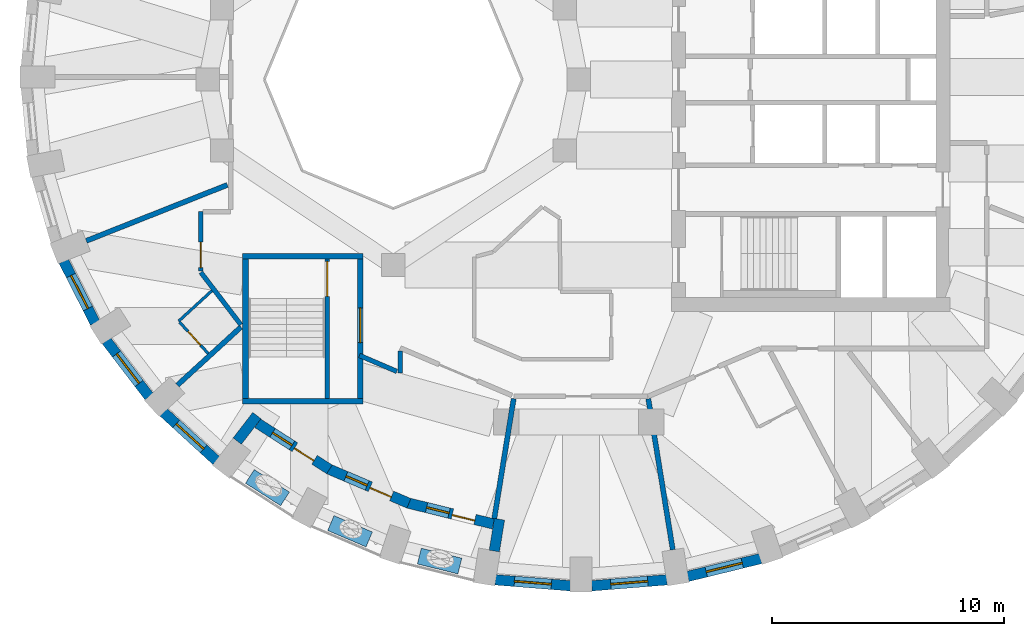
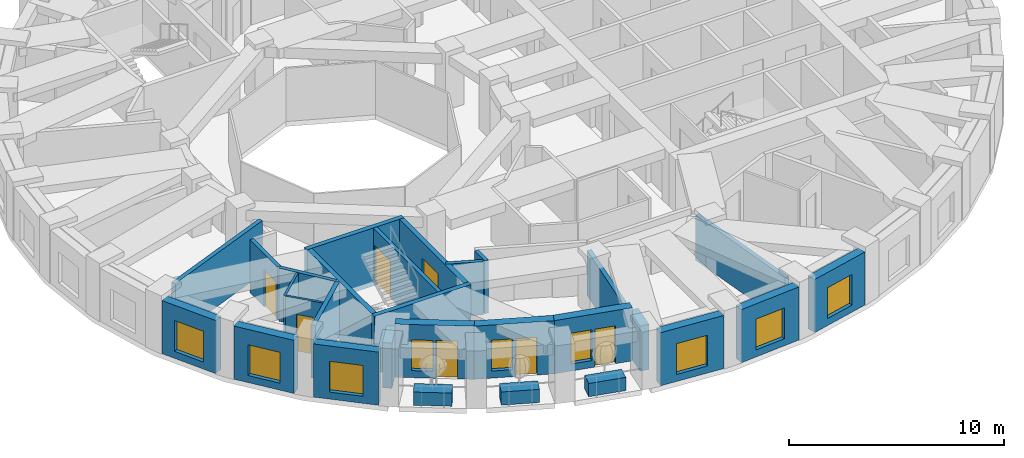
# One storey, part 3 of 12: 29 walls, 9 windows, 7 doors, 16 openings.
"""IFC4 building model written with IfcOpenShell, lengths in metres."""

import ifcopenshell
import ifcopenshell.guid

model = None  # the IFC model being written
_history = None  # IfcOwnerHistory: only IFC2X3 demands one
_inside = {}  # id of a spatial element -> (the spatial element, [elements in it])
_under = {}  # id of a project, library or spatial element -> (it, [spatial elements below it])
_declared = {}  # id of a project -> (the project, [libraries it declares])
_typed = {}  # id of a type object -> (the type object, [elements of that type])
_made_of = {}  # id of a material, layer set ... -> (it, [elements and type objects made of it])


def new_model(schema):
    """Start an empty IFC model of exactly this schema.

    Asked for "IFC4X3", IfcOpenShell would pick the latest addendum, in which some entities
    have other attributes; the version numbers below select the first issue.
    IFC2X3 requires an IfcOwnerHistory on every rooted entity: one is made here for all.
    """
    global model, _history
    if schema == "IFC4X3":
        model = ifcopenshell.file(schema_version=(4, 3, 0, 0))
    else:
        model = ifcopenshell.file(schema=schema)
    _inside.clear()
    _under.clear()
    _declared.clear()
    _typed.clear()
    _made_of.clear()
    _history = None
    if model.schema == "IFC2X3":
        org = make("IfcOrganization", Name="unknown")
        user = make(
            "IfcPersonAndOrganization",
            ThePerson=make("IfcPerson", FamilyName="unknown"),
            TheOrganization=org,
        )
        app = make(
            "IfcApplication",
            ApplicationDeveloper=org,
            Version="unknown",
            ApplicationFullName="unknown",
            ApplicationIdentifier="unknown",
        )
        _history = make(
            "IfcOwnerHistory",
            OwningUser=user,
            OwningApplication=app,
            ChangeAction="ADDED",
            CreationDate=0,
        )
    return model


def make(cls, **values):
    """One entity of the class cls with the attributes given. An attribute that is None is left unset."""
    return model.create_entity(
        cls, **{name: value for name, value in values.items() if value is not None}
    )


def rooted(cls, **values):
    """An entity with a GlobalId (a new one), such as an element, a storey or a relation."""
    return make(cls, GlobalId=ifcopenshell.guid.new(), OwnerHistory=_history, **values)


def si_unit(unit_type, name, prefix=None):
    """IfcSIUnit, for example si_unit("LENGTHUNIT", "METRE", prefix="MILLI")."""
    return make("IfcSIUnit", UnitType=unit_type, Prefix=prefix, Name=name)


def assignment(units):
    """IfcUnitAssignment: the units of a project."""
    return None if units is None else make("IfcUnitAssignment", Units=units)


def point(xyz):
    """IfcCartesianPoint."""
    return None if xyz is None else make("IfcCartesianPoint", Coordinates=xyz)


def direction(xyz):
    """IfcDirection."""
    return None if xyz is None else make("IfcDirection", DirectionRatios=xyz)


def frame(location, z_axis=None, x_axis=None):
    """IfcAxis2Placement3D, a coordinate frame: its origin and axes. An axis left out is left unset."""
    return make(
        "IfcAxis2Placement3D",
        Location=point(location),
        Axis=direction(z_axis),
        RefDirection=direction(x_axis),
    )


def frame_2d(location, x_axis=None):
    """IfcAxis2Placement2D, a coordinate frame in the plane: its origin and x axis."""
    return make(
        "IfcAxis2Placement2D", Location=point(location), RefDirection=direction(x_axis)
    )


def origin():
    """The frame at (0, 0, 0) with its axes left unset."""
    return frame((0.0, 0.0, 0.0))


def place(relative_to, where):
    """IfcLocalPlacement: puts the frame where relative to a parent placement (None: the world)."""
    return make(
        "IfcLocalPlacement", PlacementRelTo=relative_to, RelativePlacement=where
    )


def context(
    kind, dimensions, precision=None, world=None, true_north=None, identifier=None
):
    """IfcGeometricRepresentationContext, for example the 3D "Model" context."""
    return make(
        "IfcGeometricRepresentationContext",
        ContextIdentifier=identifier,
        ContextType=kind,
        CoordinateSpaceDimension=dimensions,
        Precision=precision,
        WorldCoordinateSystem=world,
        TrueNorth=true_north,
    )


def subcontext(parent, identifier, kind, view, scale=None):
    """IfcGeometricRepresentationSubContext, for example "Body" below "Model"."""
    return make(
        "IfcGeometricRepresentationSubContext",
        ContextIdentifier=identifier,
        ContextType=kind,
        ParentContext=parent,
        TargetScale=scale,
        TargetView=view,
    )


def project(units=None, contexts=None):
    """IfcProject with its units and contexts."""
    return rooted(
        "IfcProject",
        Name="project",
        RepresentationContexts=contexts,
        UnitsInContext=assignment(units),
    )


def spatial(cls, under=None, at=None, **own):
    """A site, building, storey or space (cls), placed at a placement, below another one or the project."""
    s = rooted(cls, ObjectPlacement=at, **own)
    if under is not None:
        _under.setdefault(under.id(), (under, []))[1].append(s)
    return s


def profile(cls, at=None, kind="AREA", **sizes):
    """A parametric profile (cls). Its sizes go by their IFC names, for example OverallWidth=200.0."""
    return make(cls, ProfileType=kind, Position=at, **sizes)


def rectangle(**sizes):
    """IfcRectangleProfileDef."""
    return profile("IfcRectangleProfileDef", **sizes)


def extrude(swept, where, along, depth):
    """IfcExtrudedAreaSolid: the profile swept, set in the frame where, extruded along a direction by depth."""
    return make(
        "IfcExtrudedAreaSolid",
        SweptArea=swept,
        Position=where,
        ExtrudedDirection=direction(along),
        Depth=depth,
    )


def shape(context_of_items, identifier, shape_type, items):
    """IfcShapeRepresentation: the items that make up one representation, for example the "Body"."""
    return make(
        "IfcShapeRepresentation",
        ContextOfItems=context_of_items,
        RepresentationIdentifier=identifier,
        RepresentationType=shape_type,
        Items=items,
    )


def material(Name=None, Category=None):
    """IfcMaterial."""
    return make("IfcMaterial", Name=Name, Category=Category)


def layer(
    of_material, thickness, ventilated=None, Name=None, Category=None, Priority=None
):
    """IfcMaterialLayer: one layer of a wall or slab, of a material (None: an air gap)."""
    return make(
        "IfcMaterialLayer",
        Material=of_material,
        LayerThickness=thickness,
        IsVentilated=ventilated,
        Name=Name,
        Category=Category,
        Priority=Priority,
    )


def layer_set(layers, Name=None):
    """IfcMaterialLayerSet."""
    return make("IfcMaterialLayerSet", MaterialLayers=layers, LayerSetName=Name)


def constituent(of_material, Name=None, Category=None, fraction=None):
    """IfcMaterialConstituent: one of the materials an element consists of."""
    return make(
        "IfcMaterialConstituent",
        Name=Name,
        Material=of_material,
        Fraction=fraction,
        Category=Category,
    )


def constituent_set(constituents=None, Name=None):
    """IfcMaterialConstituentSet."""
    return make(
        "IfcMaterialConstituentSet", Name=Name, MaterialConstituents=constituents
    )


def made_of(thing, what):
    """Note that an element or type object is made of a material, layer set ...; save() writes the relation."""
    if what is not None:
        _made_of.setdefault(what.id(), (what, []))[1].append(thing)
    return thing


def type_object(cls, material=None, **own):
    """A type object (cls), such as IfcWallType, which elements share."""
    return made_of(rooted(cls, **own), material)


def element(
    cls,
    number,
    at=None,
    inside=None,
    cuts=None,
    type_object=None,
    material=None,
    context=None,
    identifier="Body",
    shape_type=None,
    held_by="IfcProductDefinitionShape",
    body=None,
    shapes=None,
    **own,
):
    """One element of the class cls, such as IfcWall. Its Tag is "e" and its number.

    at: its placement. inside: the storey or other place that contains it. cuts: it is an
    opening in that element (IfcRelVoidsElement). A single representation is given by context,
    identifier, shape_type and body (its items); several are given by shapes. held_by: the class
    of the entity that holds the representations. save() writes the other relations.
    """
    e = rooted(cls, Tag="e%d" % number, ObjectPlacement=at, **own)
    if body is not None:
        shapes = [shape(context, identifier, shape_type, body)]
    if shapes is not None:
        e.Representation = make(held_by, Representations=shapes)
    if inside is not None:
        _inside.setdefault(inside.id(), (inside, []))[1].append(e)
    if cuts is not None:
        rooted(
            "IfcRelVoidsElement", RelatingBuildingElement=cuts, RelatedOpeningElement=e
        )
    if type_object is not None:
        _typed.setdefault(type_object.id(), (type_object, []))[1].append(e)
    return made_of(e, material)


def fill(opening, filler):
    """IfcRelFillsElement: the door or window that sits in an opening."""
    return rooted(
        "IfcRelFillsElement",
        RelatingOpeningElement=opening,
        RelatedBuildingElement=filler,
    )


def aggregate(whole, parts):
    """IfcRelAggregates: a whole, such as a stair, and the parts it consists of."""
    return rooted("IfcRelAggregates", RelatingObject=whole, RelatedObjects=parts)


def save(model, path):
    """Write the relations noted so far, then the file.

    IfcRelAggregates (storeys below a building ...), IfcRelContainedInSpatialStructure (elements
    in a storey), IfcRelDefinesByType, IfcRelAssociatesMaterial and IfcRelDeclares: one each for
    every whole, place, type object, material and project.
    """
    for whole, parts in _under.values():
        aggregate(whole, parts)
    for where, things in _inside.values():
        rooted(
            "IfcRelContainedInSpatialStructure",
            RelatedElements=things,
            RelatingStructure=where,
        )
    for kind, things in _typed.values():
        rooted("IfcRelDefinesByType", RelatedObjects=things, RelatingType=kind)
    for what, things in _made_of.values():
        rooted("IfcRelAssociatesMaterial", RelatedObjects=things, RelatingMaterial=what)
    for by, libraries in _declared.values():
        rooted("IfcRelDeclares", RelatingContext=by, RelatedDefinitions=libraries)
    model.write(path)


model = new_model("IFC4")

# Units and contexts
model_context = context("Model", 3, precision=1e-05, world=origin(), true_north=direction((0.0, 1.0)))
body_context = subcontext(model_context, "Body", "Model", "MODEL_VIEW")
ifc_project = project(units=[si_unit("LENGTHUNIT", "METRE"), si_unit("AREAUNIT", "SQUARE_METRE"), si_unit("VOLUMEUNIT", "CUBIC_METRE"), si_unit("PLANEANGLEUNIT", "RADIAN"), si_unit("MASSUNIT", "GRAM", prefix="KILO")], contexts=[model_context])

# Site, building, storey
site_placement = place(None, origin())
site = spatial("IfcSite", under=ifc_project, at=site_placement, CompositionType="ELEMENT")
building_placement = place(site_placement, origin())
building = spatial("IfcBuilding", under=site, at=building_placement, Name="Taillehof Tower", CompositionType="ELEMENT")
storey_placement = place(building_placement, frame((0.0, 0.0, 168.199951171875)))
storey = spatial("IfcBuildingStorey", under=building, at=storey_placement, Name="L47", CompositionType="ELEMENT", Elevation=168.199951171875)

# Wall, opening, window
ifc_material_1 = material(Name="Brick masonry", Category="masonry")
ifc_layer_1 = layer(ifc_material_1, 0.449951171875)
ifc_layer_set_1 = layer_set([ifc_layer_1], Name="Brick infill wall 450")
wall_type_1 = type_object("IfcWallType", Name="Brick infill wall 450", PredefinedType="SOLIDWALL", material=ifc_layer_set_1)
wall_1_placement = place(storey_placement, frame((-22.21533203125, -7.8369140625, 0.0), z_axis=(0.0, 0.0, 1.0), x_axis=(0.454133999889, -0.890933392653, 0.0)))
wall_1 = element("IfcWall", 1, at=wall_1_placement, inside=storey, type_object=wall_type_1, Name="Brick wall L47 bay 21", PredefinedType="SOLIDWALL", context=body_context, shape_type="SweptSolid", body=[
    extrude(rectangle(XDim=2.98583984375, YDim=0.449951171875, at=frame_2d((1.492919921875, 0.0))), origin(), (0.0, 0.0, 1.0), 3.02001953125),
])
opening_1_placement = place(wall_1_placement, frame((0.69287109375, 0.0, 0.39990234375)))
opening_1 = element("IfcOpeningElement", 2, at=opening_1_placement, cuts=wall_1, Name="Opening W3", PredefinedType="OPENING", context=body_context, shape_type="SweptSolid", body=[
    extrude(rectangle(XDim=1.60009765625, YDim=1.75, at=frame_2d((0.800048828125, 0.875))), frame((0.0, 0.23486328125, 0.0), z_axis=(0.0, -1.0, 0.0), x_axis=(1.0, 0.0, 0.0)), (0.0, 0.0, 1.0), 0.469970703125),
])
ifc_material_2 = material(Name="Aluminium window frame with clear double glazing", Category="aluminium")
window_type_1 = type_object("IfcWindowType", Name="Deep-set window 1600x1750", PartitioningType="SINGLE_PANEL", PredefinedType="WINDOW", material=ifc_material_2)
window_1_placement = place(opening_1_placement, origin())
window_1 = element("IfcWindow", 3, at=window_1_placement, inside=storey, type_object=window_type_1, Name="W3", OverallHeight=1.75, OverallWidth=1.60009765625, PartitioningType="SINGLE_PANEL", PredefinedType="WINDOW", context=body_context, shape_type="SweptSolid", body=[
    extrude(rectangle(XDim=1.60009765625, YDim=1.75, at=frame_2d((0.800048828125, 0.875))), frame((0.0, 0.034912109375, 0.0), z_axis=(0.0, -1.0, 0.0), x_axis=(1.0, 0.0, 0.0)), (0.0, 0.0, 1.0), 0.06005859375),
])
fill(opening_1, window_1)

wall_2_placement = place(storey_placement, frame((-20.3740234375, -11.26708984375, 0.0), z_axis=(0.0, 0.0, 1.0), x_axis=(0.607817056371, -0.794077090706, 0.0)))
wall_2 = element("IfcWall", 4, at=wall_2_placement, inside=storey, type_object=wall_type_1, Name="Brick wall L47 bay 22", PredefinedType="SOLIDWALL", context=body_context, shape_type="SweptSolid", body=[
    extrude(rectangle(XDim=3.037109375, YDim=0.449951171875, at=frame_2d((1.5185546875, 0.0))), origin(), (0.0, 0.0, 1.0), 3.02001953125),
])
opening_2_placement = place(wall_2_placement, frame((0.718505859375, 0.0, 0.39990234375)))
opening_2 = element("IfcOpeningElement", 5, at=opening_2_placement, cuts=wall_2, Name="Opening W3", PredefinedType="OPENING", context=body_context, shape_type="SweptSolid", body=[
    extrude(rectangle(XDim=1.60009765625, YDim=1.75, at=frame_2d((0.800048828125, 0.875))), frame((0.0, 0.23486328125, 0.0), z_axis=(0.0, -1.0, 0.0), x_axis=(1.0, 0.0, 0.0)), (0.0, 0.0, 1.0), 0.469970703125),
])
window_2_placement = place(opening_2_placement, origin())
window_2 = element("IfcWindow", 6, at=window_2_placement, inside=storey, type_object=window_type_1, Name="W3", OverallHeight=1.75, OverallWidth=1.60009765625, PartitioningType="SINGLE_PANEL", PredefinedType="WINDOW", context=body_context, shape_type="SweptSolid", body=[
    extrude(rectangle(XDim=1.60009765625, YDim=1.75, at=frame_2d((0.800048828125, 0.875))), frame((0.0, 0.034912109375, 0.0), z_axis=(0.0, -1.0, 0.0), x_axis=(1.0, 0.0, 0.0)), (0.0, 0.0, 1.0), 0.06005859375),
])
fill(opening_2, window_2)

wall_3_placement = place(storey_placement, frame((-17.913330078125, -14.349853515625, 0.0), z_axis=(0.0, 0.0, 1.0), x_axis=(0.737808755941, -0.675009807082, 0.0)))
wall_3 = element("IfcWall", 7, at=wall_3_placement, inside=storey, type_object=wall_type_1, Name="Brick wall L47 bay 23", PredefinedType="SOLIDWALL", context=body_context, shape_type="SweptSolid", body=[
    extrude(rectangle(XDim=3.094482421875, YDim=0.449951171875, at=frame_2d((1.54736328125, 0.0))), origin(), (0.0, 0.0, 1.0), 3.02001953125),
])
opening_3_placement = place(wall_3_placement, frame((0.747314453125, 0.0, 0.39990234375)))
opening_3 = element("IfcOpeningElement", 8, at=opening_3_placement, cuts=wall_3, Name="Opening W3", PredefinedType="OPENING", context=body_context, shape_type="SweptSolid", body=[
    extrude(rectangle(XDim=1.60009765625, YDim=1.75, at=frame_2d((0.800048828125, 0.875))), frame((0.0, 0.23486328125, 0.0), z_axis=(0.0, -1.0, 0.0), x_axis=(1.0, 0.0, 0.0)), (0.0, 0.0, 1.0), 0.469970703125),
])
window_3_placement = place(opening_3_placement, origin())
window_3 = element("IfcWindow", 9, at=window_3_placement, inside=storey, type_object=window_type_1, Name="W3", OverallHeight=1.75, OverallWidth=1.60009765625, PartitioningType="SINGLE_PANEL", PredefinedType="WINDOW", context=body_context, shape_type="SweptSolid", body=[
    extrude(rectangle(XDim=1.60009765625, YDim=1.75, at=frame_2d((0.800048828125, 0.875))), frame((0.0, 0.034912109375, 0.0), z_axis=(0.0, -1.0, 0.0), x_axis=(1.0, 0.0, 0.0)), (0.0, 0.0, 1.0), 0.06005859375),
])
fill(opening_3, window_3)

wall_4_placement = place(storey_placement, frame((-3.6005859375, -21.578125, 0.0), z_axis=(0.0, 0.0, 1.0), x_axis=(0.996812416891, -0.079780984773, 0.0)))
wall_4 = element("IfcWall", 10, at=wall_4_placement, inside=storey, type_object=wall_type_1, Name="Brick wall L47 bay 27", PredefinedType="SOLIDWALL", context=body_context, shape_type="SweptSolid", body=[
    extrude(rectangle(XDim=3.256103515625, YDim=0.449951171875, at=frame_2d((1.6279296875, 0.0))), origin(), (0.0, 0.0, 1.0), 3.02001953125),
])
opening_4_placement = place(wall_4_placement, frame((0.827880859375, 0.0, 0.39990234375)))
opening_4 = element("IfcOpeningElement", 11, at=opening_4_placement, cuts=wall_4, Name="Opening W3", PredefinedType="OPENING", context=body_context, shape_type="SweptSolid", body=[
    extrude(rectangle(XDim=1.60009765625, YDim=1.75, at=frame_2d((0.800048828125, 0.875))), frame((0.0, 0.23486328125, 0.0), z_axis=(0.0, -1.0, 0.0), x_axis=(1.0, 0.0, 0.0)), (0.0, 0.0, 1.0), 0.469970703125),
])
window_4_placement = place(opening_4_placement, origin())
window_4 = element("IfcWindow", 12, at=window_4_placement, inside=storey, type_object=window_type_1, Name="W3", OverallHeight=1.75, OverallWidth=1.60009765625, PartitioningType="SINGLE_PANEL", PredefinedType="WINDOW", context=body_context, shape_type="SweptSolid", body=[
    extrude(rectangle(XDim=1.60009765625, YDim=1.75, at=frame_2d((0.800048828125, 0.875))), frame((0.0, 0.034912109375, 0.0), z_axis=(0.0, -1.0, 0.0), x_axis=(1.0, 0.0, 0.0)), (0.0, 0.0, 1.0), 0.06005859375),
])
fill(opening_4, window_4)

wall_5_placement = place(storey_placement, frame((0.55517578125, -21.837890625, 0.0), z_axis=(0.0, 0.0, 1.0), x_axis=(0.996812416891, 0.079780984773, 0.0)))
wall_5 = element("IfcWall", 13, at=wall_5_placement, inside=storey, type_object=wall_type_1, Name="Brick wall L47 bay 28", PredefinedType="SOLIDWALL", context=body_context, shape_type="SweptSolid", body=[
    extrude(rectangle(XDim=3.256103515625, YDim=0.449951171875, at=frame_2d((1.6279296875, 0.0))), origin(), (0.0, 0.0, 1.0), 3.02001953125),
])
opening_5_placement = place(wall_5_placement, frame((0.827880859375, 0.0, 0.39990234375)))
opening_5 = element("IfcOpeningElement", 14, at=opening_5_placement, cuts=wall_5, Name="Opening W3", PredefinedType="OPENING", context=body_context, shape_type="SweptSolid", body=[
    extrude(rectangle(XDim=1.60009765625, YDim=1.75, at=frame_2d((0.800048828125, 0.875))), frame((0.0, 0.23486328125, 0.0), z_axis=(0.0, -1.0, 0.0), x_axis=(1.0, 0.0, 0.0)), (0.0, 0.0, 1.0), 0.469970703125),
])
window_5_placement = place(opening_5_placement, origin())
window_5 = element("IfcWindow", 15, at=window_5_placement, inside=storey, type_object=window_type_1, Name="W3", OverallHeight=1.75, OverallWidth=1.60009765625, PartitioningType="SINGLE_PANEL", PredefinedType="WINDOW", context=body_context, shape_type="SweptSolid", body=[
    extrude(rectangle(XDim=1.60009765625, YDim=1.75, at=frame_2d((0.800048828125, 0.875))), frame((0.0, 0.034912109375, 0.0), z_axis=(0.0, -1.0, 0.0), x_axis=(1.0, 0.0, 0.0)), (0.0, 0.0, 1.0), 0.06005859375),
])
fill(opening_5, window_5)

wall_6_placement = place(storey_placement, frame((4.69921875, -21.43310546875, 0.0), z_axis=(0.0, 0.0, 1.0), x_axis=(0.971237178372, 0.238114139328, 0.0)))
wall_6 = element("IfcWall", 16, at=wall_6_placement, inside=storey, type_object=wall_type_1, Name="Brick wall L47 bay 29", PredefinedType="SOLIDWALL", context=body_context, shape_type="SweptSolid", body=[
    extrude(rectangle(XDim=3.23681640625, YDim=0.449951171875, at=frame_2d((1.618408203125, 0.0))), origin(), (0.0, 0.0, 1.0), 3.02001953125),
])
opening_6_placement = place(wall_6_placement, frame((0.818359375, 0.0, 0.39990234375)))
opening_6 = element("IfcOpeningElement", 17, at=opening_6_placement, cuts=wall_6, Name="Opening W3", PredefinedType="OPENING", context=body_context, shape_type="SweptSolid", body=[
    extrude(rectangle(XDim=1.60009765625, YDim=1.75, at=frame_2d((0.800048828125, 0.875))), frame((0.0, 0.23486328125, 0.0), z_axis=(0.0, -1.0, 0.0), x_axis=(1.0, 0.0, 0.0)), (0.0, 0.0, 1.0), 0.469970703125),
])
window_6_placement = place(opening_6_placement, origin())
window_6 = element("IfcWindow", 18, at=window_6_placement, inside=storey, type_object=window_type_1, Name="W3", OverallHeight=1.75, OverallWidth=1.60009765625, PartitioningType="SINGLE_PANEL", PredefinedType="WINDOW", context=body_context, shape_type="SweptSolid", body=[
    extrude(rectangle(XDim=1.60009765625, YDim=1.75, at=frame_2d((0.800048828125, 0.875))), frame((0.0, 0.034912109375, 0.0), z_axis=(0.0, -1.0, 0.0), x_axis=(1.0, 0.0, 0.0)), (0.0, 0.0, 1.0), 0.06005859375),
])
fill(opening_6, window_6)

# Walls
wall_7_placement = place(storey_placement, frame((-14.7314453125, -15.5966796875, 0.0), z_axis=(0.0, 0.0, 1.0), x_axis=(0.610007638158, 0.792395533423, 0.0)))
element("IfcWall", 19, at=wall_7_placement, inside=storey, type_object=wall_type_1, Name="Brick reveal L47 pocket 7", PredefinedType="SOLIDWALL", context=body_context, shape_type="SweptSolid", body=[
    extrude(rectangle(XDim=1.390869140625, YDim=0.449951171875, at=frame_2d((0.6953125, 0.0))), origin(), (0.0, 0.0, 1.0), 2.570068359375),
])
wall_8_placement = place(storey_placement, frame((-3.643798828125, -20.337646484375, 0.0), z_axis=(0.0, 0.0, 1.0), x_axis=(0.159668705775, 0.987170656166, 0.0)))
element("IfcWall", 20, at=wall_8_placement, inside=storey, type_object=wall_type_1, Name="Brick reveal L47 pocket 7", PredefinedType="SOLIDWALL", context=body_context, shape_type="SweptSolid", body=[
    extrude(rectangle(XDim=1.389892578125, YDim=0.449951171875, at=frame_2d((0.69482421875, 0.0))), origin(), (0.0, 0.0, 1.0), 2.570068359375),
])

# Wall, openings, door, window
wall_9_placement = place(storey_placement, frame((-13.853759765625, -14.825439453125, 0.0), z_axis=(0.0, 0.0, 1.0), x_axis=(0.841423945692, -0.540375557937, 0.0)))
wall_9 = element("IfcWall", 21, at=wall_9_placement, inside=storey, type_object=wall_type_1, Name="Brick wall L47 pocket bay 24", PredefinedType="SOLIDWALL", context=body_context, shape_type="SweptSolid", body=[
    extrude(rectangle(XDim=3.6826171875, YDim=0.449951171875, at=frame_2d((1.84130859375, 0.0))), origin(), (0.0, 0.0, 1.0), 3.02001953125),
])
opening_7_placement = place(wall_9_placement, frame((0.766357421875, 0.0, 0.39990234375)))
opening_7 = element("IfcOpeningElement", 22, at=opening_7_placement, cuts=wall_9, Name="Opening W5", PredefinedType="OPENING", context=body_context, shape_type="SweptSolid", body=[
    extrude(rectangle(XDim=1.0, YDim=1.75, at=frame_2d((0.5, 0.875))), frame((0.0, 0.23486328125, 0.0), z_axis=(0.0, -1.0, 0.0), x_axis=(1.0, 0.0, 0.0)), (0.0, 0.0, 1.0), 0.469970703125),
])
opening_8_placement = place(wall_9_placement, frame((1.916259765625, 0.0, 0.0)))
opening_8 = element("IfcOpeningElement", 23, at=opening_8_placement, cuts=wall_9, Name="Opening D4794", PredefinedType="OPENING", context=body_context, shape_type="SweptSolid", body=[
    extrude(rectangle(XDim=1.0, YDim=2.14990234375, at=frame_2d((0.5, 1.074951171875))), frame((0.0, 0.23486328125, 0.0), z_axis=(0.0, -1.0, 0.0), x_axis=(1.0, 0.0, 0.0)), (0.0, 0.0, 1.0), 0.469970703125),
])
ifc_material_3 = material(Name="Aluminium door frame with clear double glazing", Category="aluminium")
door_type_1 = type_object("IfcDoorType", Name="Balcony door 1000x2150", OperationType="SINGLE_SWING_RIGHT", PredefinedType="DOOR", material=ifc_material_3)
door_1_placement = place(opening_8_placement, frame((1.0, 0.0, 0.0), z_axis=(0.0, 0.0, 1.0), x_axis=(-1.0, 0.0, 0.0)))
door_1 = element("IfcDoor", 24, at=door_1_placement, inside=storey, type_object=door_type_1, Name="Balcony door L47 bay 24", OperationType="SINGLE_SWING_RIGHT", OverallHeight=2.14990234375, OverallWidth=1.0, PredefinedType="DOOR", context=body_context, shape_type="SweptSolid", body=[
    extrude(rectangle(XDim=1.0, YDim=2.14990234375, at=frame_2d((0.5, 1.074951171875))), frame((0.0, 0.0751953125, 0.0), z_axis=(0.0, -1.0, 0.0), x_axis=(1.0, 0.0, 0.0)), (0.0, 0.0, 1.0), 0.050048828125),
])
fill(opening_8, door_1)
ifc_material_4 = material(Name="Aluminium window frame with clear double glazing", Category="aluminium")
window_type_2 = type_object("IfcWindowType", Name="Fixed window 1000x1750", PartitioningType="SINGLE_PANEL", PredefinedType="WINDOW", material=ifc_material_4)
window_7_placement = place(opening_7_placement, origin())
window_7 = element("IfcWindow", 25, at=window_7_placement, inside=storey, type_object=window_type_2, Name="W5", OverallHeight=1.75, OverallWidth=1.0, PartitioningType="SINGLE_PANEL", PredefinedType="WINDOW", context=body_context, shape_type="SweptSolid", body=[
    extrude(rectangle(XDim=1.0, YDim=1.75, at=frame_2d((0.5, 0.875))), frame((0.0, 0.034912109375, 0.0), z_axis=(0.0, -1.0, 0.0), x_axis=(1.0, 0.0, 0.0)), (0.0, 0.0, 1.0), 0.06005859375),
])
fill(opening_7, window_7)

wall_10_placement = place(storey_placement, frame((-10.788330078125, -16.798095703125, 0.0), z_axis=(0.0, 0.0, 1.0), x_axis=(0.919443425894, -0.393222311907, 0.0)))
wall_10 = element("IfcWall", 26, at=wall_10_placement, inside=storey, type_object=wall_type_1, Name="Brick wall L47 pocket bay 25", PredefinedType="SOLIDWALL", context=body_context, shape_type="SweptSolid", body=[
    extrude(rectangle(XDim=3.76318359375, YDim=0.449951171875, at=frame_2d((1.881591796875, 0.0))), origin(), (0.0, 0.0, 1.0), 3.02001953125),
])
opening_9_placement = place(wall_10_placement, frame((0.806640625, 0.0, 0.39990234375)))
opening_9 = element("IfcOpeningElement", 27, at=opening_9_placement, cuts=wall_10, Name="Opening W5", PredefinedType="OPENING", context=body_context, shape_type="SweptSolid", body=[
    extrude(rectangle(XDim=1.0, YDim=1.75, at=frame_2d((0.5, 0.875))), frame((0.0, 0.23486328125, 0.0), z_axis=(0.0, -1.0, 0.0), x_axis=(1.0, 0.0, 0.0)), (0.0, 0.0, 1.0), 0.469970703125),
])
opening_10_placement = place(wall_10_placement, frame((1.95654296875, 0.0, 0.0)))
opening_10 = element("IfcOpeningElement", 28, at=opening_10_placement, cuts=wall_10, Name="Opening D4795", PredefinedType="OPENING", context=body_context, shape_type="SweptSolid", body=[
    extrude(rectangle(XDim=1.0, YDim=2.14990234375, at=frame_2d((0.5, 1.074951171875))), frame((0.0, 0.23486328125, 0.0), z_axis=(0.0, -1.0, 0.0), x_axis=(1.0, 0.0, 0.0)), (0.0, 0.0, 1.0), 0.469970703125),
])
door_2_placement = place(opening_10_placement, frame((1.0, 0.0, 0.0), z_axis=(0.0, 0.0, 1.0), x_axis=(-1.0, 0.0, 0.0)))
door_2 = element("IfcDoor", 29, at=door_2_placement, inside=storey, type_object=door_type_1, Name="Balcony door L47 bay 25", OperationType="SINGLE_SWING_LEFT", OverallHeight=2.14990234375, OverallWidth=1.0, PredefinedType="DOOR", context=body_context, shape_type="SweptSolid", body=[
    extrude(rectangle(XDim=1.0, YDim=2.14990234375, at=frame_2d((0.5, 1.074951171875))), frame((0.0, 0.0751953125, 0.0), z_axis=(0.0, -1.0, 0.0), x_axis=(1.0, 0.0, 0.0)), (0.0, 0.0, 1.0), 0.050048828125),
])
fill(opening_10, door_2)
window_8_placement = place(opening_9_placement, origin())
window_8 = element("IfcWindow", 30, at=window_8_placement, inside=storey, type_object=window_type_2, Name="W5", OverallHeight=1.75, OverallWidth=1.0, PartitioningType="SINGLE_PANEL", PredefinedType="WINDOW", context=body_context, shape_type="SweptSolid", body=[
    extrude(rectangle(XDim=1.0, YDim=1.75, at=frame_2d((0.5, 0.875))), frame((0.0, 0.034912109375, 0.0), z_axis=(0.0, -1.0, 0.0), x_axis=(1.0, 0.0, 0.0)), (0.0, 0.0, 1.0), 0.06005859375),
])
fill(opening_9, window_8)

wall_11_placement = place(storey_placement, frame((-7.363037109375, -18.26611328125, 0.0), z_axis=(0.0, 0.0, 1.0), x_axis=(0.971093730314, -0.238698485425, 0.0)))
wall_11 = element("IfcWall", 31, at=wall_11_placement, inside=storey, type_object=wall_type_1, Name="Brick wall L47 pocket bay 26", PredefinedType="SOLIDWALL", context=body_context, shape_type="SweptSolid", body=[
    extrude(rectangle(XDim=3.78955078125, YDim=0.449951171875, at=frame_2d((1.894775390625, 0.0))), origin(), (0.0, 0.0, 1.0), 3.02001953125),
])
opening_11_placement = place(wall_11_placement, frame((0.81982421875, 0.0, 0.39990234375)))
opening_11 = element("IfcOpeningElement", 32, at=opening_11_placement, cuts=wall_11, Name="Opening W5", PredefinedType="OPENING", context=body_context, shape_type="SweptSolid", body=[
    extrude(rectangle(XDim=1.0, YDim=1.75, at=frame_2d((0.5, 0.875))), frame((0.0, 0.23486328125, 0.0), z_axis=(0.0, -1.0, 0.0), x_axis=(1.0, 0.0, 0.0)), (0.0, 0.0, 1.0), 0.469970703125),
])
opening_12_placement = place(wall_11_placement, frame((1.9697265625, 0.0, 0.0)))
opening_12 = element("IfcOpeningElement", 33, at=opening_12_placement, cuts=wall_11, Name="Opening D4796", PredefinedType="OPENING", context=body_context, shape_type="SweptSolid", body=[
    extrude(rectangle(XDim=1.0, YDim=2.14990234375, at=frame_2d((0.5, 1.074951171875))), frame((0.0, 0.23486328125, 0.0), z_axis=(0.0, -1.0, 0.0), x_axis=(1.0, 0.0, 0.0)), (0.0, 0.0, 1.0), 0.469970703125),
])
door_3_placement = place(opening_12_placement, frame((1.0, 0.0, 0.0), z_axis=(0.0, 0.0, 1.0), x_axis=(-1.0, 0.0, 0.0)))
door_3 = element("IfcDoor", 34, at=door_3_placement, inside=storey, type_object=door_type_1, Name="Balcony door L47 bay 26", OperationType="SINGLE_SWING_LEFT", OverallHeight=2.14990234375, OverallWidth=1.0, PredefinedType="DOOR", context=body_context, shape_type="SweptSolid", body=[
    extrude(rectangle(XDim=1.0, YDim=2.14990234375, at=frame_2d((0.5, 1.074951171875))), frame((0.0, 0.0751953125, 0.0), z_axis=(0.0, -1.0, 0.0), x_axis=(1.0, 0.0, 0.0)), (0.0, 0.0, 1.0), 0.050048828125),
])
fill(opening_12, door_3)
window_9_placement = place(opening_11_placement, origin())
window_9 = element("IfcWindow", 35, at=window_9_placement, inside=storey, type_object=window_type_2, Name="W5", OverallHeight=1.75, OverallWidth=1.0, PartitioningType="SINGLE_PANEL", PredefinedType="WINDOW", context=body_context, shape_type="SweptSolid", body=[
    extrude(rectangle(XDim=1.0, YDim=1.75, at=frame_2d((0.5, 0.875))), frame((0.0, 0.034912109375, 0.0), z_axis=(0.0, -1.0, 0.0), x_axis=(1.0, 0.0, 0.0)), (0.0, 0.0, 1.0), 0.06005859375),
])
fill(opening_11, window_9)

# Walls
ifc_material_5 = material(Name="Gypsum board on steel studs, two layers each side", Category="steel")
ifc_layer_2 = layer(ifc_material_5, 0.199951171875)
ifc_layer_set_2 = layer_set([ifc_layer_2], Name="Compartment wall corridor 200")
wall_type_2 = type_object("IfcWallType", Name="Compartment wall corridor 200", PredefinedType="PARTITIONING", material=ifc_layer_set_2)
wall_12_placement = place(storey_placement, frame((-7.699951171875, -11.72021484375, 0.0), z_axis=(0.0, 0.0, 1.0), x_axis=(0.0, -1.0, 0.0)))
element("IfcWall", 36, at=wall_12_placement, inside=storey, type_object=wall_type_2, Name="Compartment wall", PredefinedType="PARTITIONING", context=body_context, shape_type="SweptSolid", body=[
    extrude(rectangle(XDim=0.933349609375, YDim=0.199951171875, at=frame_2d((0.466796875, 0.0))), origin(), (0.0, 0.0, 1.0), 3.02001953125),
])
wall_13_placement = place(storey_placement, frame((-7.846435546875, -12.591064453125, 0.0), z_axis=(0.0, 0.0, 1.0), x_axis=(-0.919360683084, 0.393415727189, 0.0)))
element("IfcWall", 37, at=wall_13_placement, inside=storey, type_object=wall_type_2, Name="Compartment wall", PredefinedType="PARTITIONING", context=body_context, shape_type="SweptSolid", body=[
    extrude(rectangle(XDim=1.755615234375, YDim=0.199951171875, at=frame_2d((0.8779296875, 0.0))), origin(), (0.0, 0.0, 1.0), 3.02001953125),
])
wall_14_placement = place(storey_placement, frame((-14.57373046875, -10.580078125, 0.0), z_axis=(0.0, 0.0, 1.0), x_axis=(-0.606733250298, 0.794905505694, 0.0)))
element("IfcWall", 38, at=wall_14_placement, inside=storey, type_object=wall_type_2, Name="Compartment wall", PredefinedType="PARTITIONING", context=body_context, shape_type="SweptSolid", body=[
    extrude(rectangle(XDim=2.84521484375, YDim=0.199951171875, at=frame_2d((1.422607421875, 0.0))), origin(), (0.0, 0.0, 1.0), 3.02001953125),
])

# Wall, opening, door
wall_15_placement = place(storey_placement, frame((-16.300048828125, -8.25830078125, 0.0), z_axis=(0.0, 0.0, 1.0), x_axis=(0.0, 1.0, 0.0)))
wall_15 = element("IfcWall", 39, at=wall_15_placement, inside=storey, type_object=wall_type_2, Name="Compartment wall", PredefinedType="PARTITIONING", context=body_context, shape_type="SweptSolid", body=[
    extrude(rectangle(XDim=2.558349609375, YDim=0.199951171875, at=frame_2d((1.279296875, 0.0))), origin(), (0.0, 0.0, 1.0), 3.02001953125),
])
opening_13_placement = place(wall_15_placement, frame((0.139892578125, 0.0, 0.0)))
opening_13 = element("IfcOpeningElement", 40, at=opening_13_placement, cuts=wall_15, Name="Opening D4750", PredefinedType="OPENING", context=body_context, shape_type="SweptSolid", body=[
    extrude(rectangle(XDim=1.10009765625, YDim=2.10009765625, at=frame_2d((0.550048828125, 1.050048828125))), frame((0.0, 0.10986328125, 0.0), z_axis=(0.0, -1.0, 0.0), x_axis=(1.0, 0.0, 0.0)), (0.0, 0.0, 1.0), 0.219970703125),
])
ifc_material_6 = material(Name="Timber door leaf in steel frame", Category="steel")
door_type_2 = type_object("IfcDoorType", Name="Suite entrance door EI 30 1100 x 2100", OperationType="SINGLE_SWING_LEFT", PredefinedType="DOOR", material=ifc_material_6)
door_4_placement = place(opening_13_placement, origin())
door_4 = element("IfcDoor", 41, at=door_4_placement, inside=storey, type_object=door_type_2, Name="D4750", OperationType="SINGLE_SWING_LEFT", OverallHeight=2.10009765625, OverallWidth=1.10009765625, PredefinedType="DOOR", context=body_context, shape_type="SweptSolid", body=[
    extrude(rectangle(XDim=1.10009765625, YDim=2.10009765625, at=frame_2d((0.550048828125, 1.050048828125))), frame((0.0, 0.02490234375, 0.0), z_axis=(0.0, -1.0, 0.0), x_axis=(1.0, 0.0, 0.0)), (0.0, 0.0, 1.0), 0.050048828125),
])
fill(opening_13, door_4)

# Walls
ifc_material_7 = material(Name="Gypsum board on double steel studs with mineral wool", Category="steel")
ifc_layer_3 = layer(ifc_material_7, 0.219970703125)
ifc_layer_set_3 = layer_set([ifc_layer_3], Name="Compartment wall guest room 220")
wall_type_3 = type_object("IfcWallType", Name="Compartment wall guest room 220", PredefinedType="PARTITIONING", material=ifc_layer_set_3)
wall_16_placement = place(storey_placement, frame((-21.23876953125, -6.959716796875, 0.0), z_axis=(0.0, 0.0, 1.0), x_axis=(0.929520145478, 0.368771337215, 0.0)))
element("IfcWall", 42, at=wall_16_placement, inside=storey, type_object=wall_type_3, Name="Compartment wall", PredefinedType="PARTITIONING", context=body_context, shape_type="SweptSolid", body=[
    extrude(rectangle(XDim=6.544189453125, YDim=0.219970703125, at=frame_2d((3.27197265625, 0.0))), origin(), (0.0, 0.0, 1.0), 3.02001953125),
])
wall_17_placement = place(storey_placement, frame((-17.310302734375, -13.181640625, 0.0), z_axis=(0.0, 0.0, 1.0), x_axis=(0.737860436015, 0.674953314655, 0.0)))
element("IfcWall", 43, at=wall_17_placement, inside=storey, type_object=wall_type_3, Name="Compartment wall", PredefinedType="PARTITIONING", context=body_context, shape_type="SweptSolid", body=[
    extrude(rectangle(XDim=3.714111328125, YDim=0.219970703125, at=frame_2d((1.85693359375, 0.0))), origin(), (0.0, 0.0, 1.0), 3.02001953125),
])
wall_18_placement = place(storey_placement, frame((-3.64697265625, -18.94775390625, 0.0), z_axis=(0.0, 0.0, 1.0), x_axis=(0.15969751034, 0.987165996776, 0.0)))
element("IfcWall", 44, at=wall_18_placement, inside=storey, type_object=wall_type_3, Name="Compartment wall", PredefinedType="PARTITIONING", context=body_context, shape_type="SweptSolid", body=[
    extrude(rectangle(XDim=5.248291015625, YDim=0.219970703125, at=frame_2d((2.6240234375, 0.0))), origin(), (0.0, 0.0, 1.0), 2.570068359375),
])
wall_19_placement = place(storey_placement, frame((4.05224609375, -20.28369140625, 0.0), z_axis=(0.0, 0.0, 1.0), x_axis=(-0.159678232595, 0.987169115215, 0.0)))
element("IfcWall", 45, at=wall_19_placement, inside=storey, type_object=wall_type_3, Name="Compartment wall", PredefinedType="PARTITIONING", context=body_context, shape_type="SweptSolid", body=[
    extrude(rectangle(XDim=6.594482421875, YDim=0.219970703125, at=frame_2d((3.29736328125, 0.0))), origin(), (0.0, 0.0, 1.0), 2.570068359375),
])
ifc_material_8 = material(Name="Gypsum board on steel studs, moisture resistant", Category="steel")
ifc_layer_4 = layer(ifc_material_8, 0.1201171875)
ifc_layer_set_4 = layer_set([ifc_layer_4], Name="En-suite wall 120")
wall_type_4 = type_object("IfcWallType", Name="En-suite wall 120", PredefinedType="PARTITIONING", material=ifc_layer_set_4)
wall_20_placement = place(storey_placement, frame((-15.82177734375, -9.109619140625, 0.0), z_axis=(0.0, 0.0, 1.0), x_axis=(-0.737882479632, -0.674929215734, 0.0)))
element("IfcWall", 46, at=wall_20_placement, inside=storey, type_object=wall_type_4, Name="En-suite wall", PredefinedType="PARTITIONING", context=body_context, shape_type="SweptSolid", body=[
    extrude(rectangle(XDim=1.94677734375, YDim=0.1201171875, at=frame_2d((0.973388671875, 0.0))), origin(), (0.0, 0.0, 1.0), 3.02001953125),
])

# Wall, opening, door
wall_21_placement = place(storey_placement, frame((-17.2177734375, -10.4677734375, 0.0), z_axis=(0.0, 0.0, 1.0), x_axis=(0.674920747044, -0.737890225717, 0.0)))
wall_21 = element("IfcWall", 47, at=wall_21_placement, inside=storey, type_object=wall_type_4, Name="En-suite wall", PredefinedType="PARTITIONING", context=body_context, shape_type="SweptSolid", body=[
    extrude(rectangle(XDim=1.830078125, YDim=0.1201171875, at=frame_2d((0.9150390625, 0.0))), origin(), (0.0, 0.0, 1.0), 3.02001953125),
])
opening_14_placement = place(wall_21_placement, frame((0.5400390625, 0.0, 0.0)))
opening_14 = element("IfcOpeningElement", 48, at=opening_14_placement, cuts=wall_21, Name="Opening D4751", PredefinedType="OPENING", context=body_context, shape_type="SweptSolid", body=[
    extrude(rectangle(XDim=0.800048828125, YDim=2.10009765625, at=frame_2d((0.39990234375, 1.050048828125))), frame((0.0, 0.070068359375, 0.0), z_axis=(0.0, -1.0, 0.0), x_axis=(1.0, 0.0, 0.0)), (0.0, 0.0, 1.0), 0.14013671875),
])
ifc_material_9 = material(Name="Timber door leaf in steel frame", Category="steel")
door_type_3 = type_object("IfcDoorType", Name="En-suite door 800 x 2100", OperationType="SINGLE_SWING_LEFT", PredefinedType="DOOR", material=ifc_material_9)
door_5_placement = place(opening_14_placement, origin())
door_5 = element("IfcDoor", 49, at=door_5_placement, inside=storey, type_object=door_type_3, Name="D4751", OperationType="SINGLE_SWING_LEFT", OverallHeight=2.10009765625, OverallWidth=0.800048828125, PredefinedType="DOOR", context=body_context, shape_type="SweptSolid", body=[
    extrude(rectangle(XDim=0.800048828125, YDim=2.10009765625, at=frame_2d((0.39990234375, 1.050048828125))), frame((0.0, 0.02490234375, 0.0), z_axis=(0.0, -1.0, 0.0), x_axis=(1.0, 0.0, 0.0)), (0.0, 0.0, 1.0), 0.050048828125),
])
fill(opening_14, door_5)

# Walls
ifc_material_10 = material(Name="Concrete C30/37 precast", Category="concrete")
ifc_constituent_1 = constituent(ifc_material_10, Name="Structure", Category="concrete")
ifc_material_11 = material(Name="Insulated lining")
ifc_constituent_2 = constituent(ifc_material_11, Name="Lining")
ifc_constituent_set = constituent_set(constituents=[ifc_constituent_1, ifc_constituent_2], Name="Planter trough 700x750")
wall_type_5 = type_object("IfcWallType", Name="Planter trough 700x750", PredefinedType="USERDEFINED", material=ifc_constituent_set)
for number, where, z_axis, x_axis, name in (
    (50, (-14.18603515625, -17.11767578125, 0.0), (0.0, 0.0, 1.0), (0.842032375698, -0.539426990682, 0.0), "Planter L47 bay 24"),
    (51, (-10.694580078125, -19.13134765625, 0.0), (0.0, 0.0, 1.0), (0.919859091433, -0.392248966739, 0.0), "Planter L47 bay 25"),
    (52, (-6.87744140625, -20.556640625, 0.0), (0.0, 0.0, 1.0), (0.971257007956, -0.238033242419, 0.0), "Planter L47 bay 26"),
):
    element("IfcWall", number, at=place(storey_placement, frame(where, z_axis=z_axis, x_axis=x_axis)), inside=storey, type_object=wall_type_5, Name=name, ObjectType="PLANTER", PredefinedType="USERDEFINED", context=body_context, shape_type="SweptSolid", body=[
        extrude(rectangle(XDim=1.800048828125, YDim=0.699951171875, at=frame_2d((0.89990234375, 0.0))), origin(), (0.0, 0.0, 1.0), 0.75),
    ])

# Wall, opening, door
ifc_material_12 = material(Name="Concrete C50/60", Category="concrete")
ifc_layer_5 = layer(ifc_material_12, 0.199951171875)
ifc_layer_set_5 = layer_set([ifc_layer_5], Name="Shaft wall C50/60 200")
wall_type_6 = type_object("IfcWallType", Name="Shaft wall C50/60 200", PredefinedType="SHEAR", material=ifc_layer_set_5)
wall_22_placement = place(storey_placement, frame((-10.85009765625, -13.75, 0.0), z_axis=(0.0, 0.0, 1.0), x_axis=(0.0, 1.0, 0.0)))
wall_22 = element("IfcWall", 53, at=wall_22_placement, inside=storey, type_object=wall_type_6, Name="Shaft wall SW", PredefinedType="SHEAR", context=body_context, shape_type="SweptSolid", body=[
    extrude(rectangle(XDim=6.0, YDim=0.199951171875, at=frame_2d((3.0, 0.0))), origin(), (0.0, 0.0, 1.0), 3.02001953125),
])
opening_15_placement = place(wall_22_placement, frame((4.39990234375, 0.0, 0.0)))
opening_15 = element("IfcOpeningElement", 54, at=opening_15_placement, cuts=wall_22, Name="Opening D4713", PredefinedType="OPENING", context=body_context, shape_type="SweptSolid", body=[
    extrude(rectangle(XDim=1.5, YDim=2.10009765625, at=frame_2d((0.75, 1.050048828125))), frame((0.0, 0.10986328125, 0.0), z_axis=(0.0, -1.0, 0.0), x_axis=(1.0, 0.0, 0.0)), (0.0, 0.0, 1.0), 0.219970703125),
])
ifc_material_13 = material(Name="Steel-faced fire door", Category="steel")
door_type_4 = type_object("IfcDoorType", Name="Stair door 1500x2100", OperationType="DOUBLE_DOOR_SINGLE_SWING", PredefinedType="DOOR", material=ifc_material_13)
door_6_placement = place(opening_15_placement, origin())
door_6 = element("IfcDoor", 55, at=door_6_placement, inside=storey, type_object=door_type_4, Name="Stair lobby door S4", OperationType="DOUBLE_DOOR_SINGLE_SWING", OverallHeight=2.10009765625, OverallWidth=1.5, PredefinedType="DOOR", context=body_context, shape_type="SweptSolid", body=[
    extrude(rectangle(XDim=1.5, YDim=2.10009765625, at=frame_2d((0.75, 1.050048828125))), frame((0.0, 0.02490234375, 0.0), z_axis=(0.0, -1.0, 0.0), x_axis=(1.0, 0.0, 0.0)), (0.0, 0.0, 1.0), 0.050048828125),
])
fill(opening_15, door_6)

# Wall
ifc_material_14 = material(Name="Concrete C50/60", Category="concrete")
ifc_layer_6 = layer(ifc_material_14, 0.25)
ifc_layer_set_6 = layer_set([ifc_layer_6], Name="Stair wall C50/60 250")
wall_type_7 = type_object("IfcWallType", Name="Stair wall C50/60 250", PredefinedType="SHEAR", material=ifc_layer_set_6)
wall_23_placement = place(storey_placement, frame((-14.375, -13.75, -0.280029296875), z_axis=(0.0, 0.0, 1.0), x_axis=(0.0, 1.0, 0.0)))
element("IfcWall", 56, at=wall_23_placement, inside=storey, type_object=wall_type_7, Name="Stair wall SC", PredefinedType="SHEAR", context=body_context, shape_type="SweptSolid", body=[
    extrude(rectangle(XDim=6.0, YDim=0.25, at=frame_2d((3.0, 0.0))), origin(), (0.0, 0.0, 1.0), 3.300048828125),
])

# Wall, opening, door
wall_24_placement = place(storey_placement, frame((-9.425048828125, -13.75, -0.280029296875), z_axis=(0.0, 0.0, 1.0), x_axis=(0.0, 1.0, 0.0)))
wall_24 = element("IfcWall", 57, at=wall_24_placement, inside=storey, type_object=wall_type_7, Name="Stair wall SC", PredefinedType="SHEAR", context=body_context, shape_type="SweptSolid", body=[
    extrude(rectangle(XDim=6.0, YDim=0.25, at=frame_2d((3.0, 0.0))), origin(), (0.0, 0.0, 1.0), 3.300048828125),
])
opening_16_placement = place(wall_24_placement, frame((2.39990234375, 0.0, 0.280029296875)))
opening_16 = element("IfcOpeningElement", 58, at=opening_16_placement, cuts=wall_24, Name="Opening D4716", PredefinedType="OPENING", context=body_context, shape_type="SweptSolid", body=[
    extrude(rectangle(XDim=1.5, YDim=2.10009765625, at=frame_2d((0.75, 1.050048828125))), frame((0.0, 0.135009765625, 0.0), z_axis=(0.0, -1.0, 0.0), x_axis=(1.0, 0.0, 0.0)), (0.0, 0.0, 1.0), 0.27001953125),
])
door_7_placement = place(opening_16_placement, origin())
door_7 = element("IfcDoor", 59, at=door_7_placement, inside=storey, type_object=door_type_4, Name="Stair door S4", OperationType="DOUBLE_DOOR_SINGLE_SWING", OverallHeight=2.10009765625, OverallWidth=1.5, PredefinedType="DOOR", context=body_context, shape_type="SweptSolid", body=[
    extrude(rectangle(XDim=1.5, YDim=2.10009765625, at=frame_2d((0.75, 1.050048828125))), frame((0.0, 0.02490234375, 0.0), z_axis=(0.0, -1.0, 0.0), x_axis=(1.0, 0.0, 0.0)), (0.0, 0.0, 1.0), 0.050048828125),
])
fill(opening_16, door_7)

# Walls
for number, where, z_axis, x_axis, name in (
    (60, (-14.5, -7.625, -0.280029296875), (0.0, 0.0, 1.0), (1.0, 0.0, 0.0), "Stair wall SC"),
    (61, (-14.5, -13.875, -0.280029296875), (0.0, 0.0, 1.0), (1.0, 0.0, 0.0), "Stair wall SC"),
):
    element("IfcWall", number, at=place(storey_placement, frame(where, z_axis=z_axis, x_axis=x_axis)), inside=storey, type_object=wall_type_7, Name=name, PredefinedType="SHEAR", context=body_context, shape_type="SweptSolid", body=[
        extrude(rectangle(XDim=5.199951171875, YDim=0.25, at=frame_2d((2.60009765625, 0.0))), origin(), (0.0, 0.0, 1.0), 3.300048828125),
    ])

save(model, "model.ifc")
